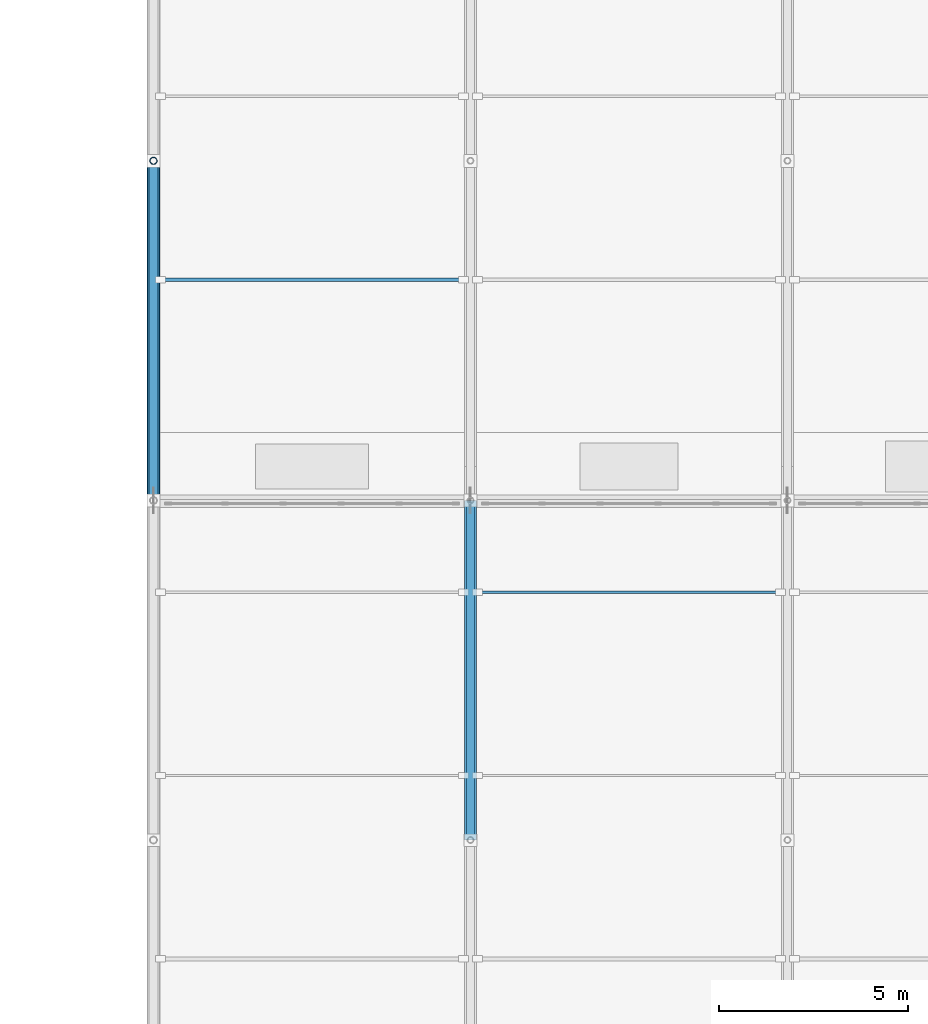
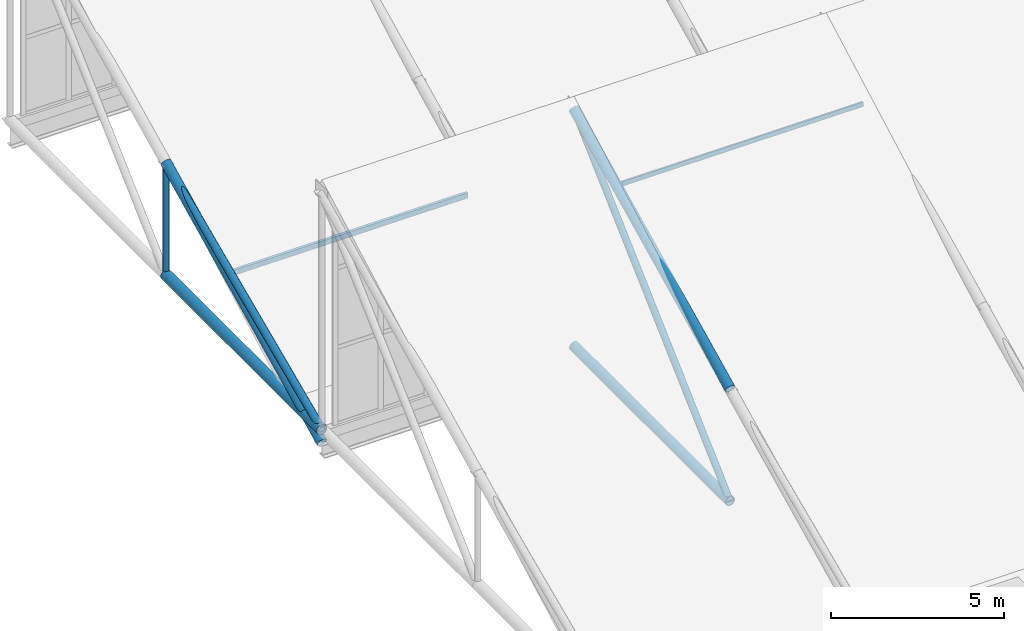
# One storey, part 6 of 38: 9 members.
"""IFC4 building model written with IfcOpenShell, lengths in metres."""

import ifcopenshell
import ifcopenshell.guid

model = None  # the IFC model being written
_history = None  # IfcOwnerHistory: only IFC2X3 demands one
_inside = {}  # id of a spatial element -> (the spatial element, [elements in it])
_under = {}  # id of a project, library or spatial element -> (it, [spatial elements below it])
_declared = {}  # id of a project -> (the project, [libraries it declares])
_typed = {}  # id of a type object -> (the type object, [elements of that type])
_made_of = {}  # id of a material, layer set ... -> (it, [elements and type objects made of it])


def new_model(schema):
    """Start an empty IFC model of exactly this schema.

    Asked for "IFC4X3", IfcOpenShell would pick the latest addendum, in which some entities
    have other attributes; the version numbers below select the first issue.
    IFC2X3 requires an IfcOwnerHistory on every rooted entity: one is made here for all.
    """
    global model, _history
    if schema == "IFC4X3":
        model = ifcopenshell.file(schema_version=(4, 3, 0, 0))
    else:
        model = ifcopenshell.file(schema=schema)
    _inside.clear()
    _under.clear()
    _declared.clear()
    _typed.clear()
    _made_of.clear()
    _history = None
    if model.schema == "IFC2X3":
        org = make("IfcOrganization", Name="unknown")
        user = make(
            "IfcPersonAndOrganization",
            ThePerson=make("IfcPerson", FamilyName="unknown"),
            TheOrganization=org,
        )
        app = make(
            "IfcApplication",
            ApplicationDeveloper=org,
            Version="unknown",
            ApplicationFullName="unknown",
            ApplicationIdentifier="unknown",
        )
        _history = make(
            "IfcOwnerHistory",
            OwningUser=user,
            OwningApplication=app,
            ChangeAction="ADDED",
            CreationDate=0,
        )
    return model


def make(cls, **values):
    """One entity of the class cls with the attributes given. An attribute that is None is left unset."""
    return model.create_entity(
        cls, **{name: value for name, value in values.items() if value is not None}
    )


def rooted(cls, **values):
    """An entity with a GlobalId (a new one), such as an element, a storey or a relation."""
    return make(cls, GlobalId=ifcopenshell.guid.new(), OwnerHistory=_history, **values)


def si_unit(unit_type, name, prefix=None):
    """IfcSIUnit, for example si_unit("LENGTHUNIT", "METRE", prefix="MILLI")."""
    return make("IfcSIUnit", UnitType=unit_type, Prefix=prefix, Name=name)


def assignment(units):
    """IfcUnitAssignment: the units of a project."""
    return None if units is None else make("IfcUnitAssignment", Units=units)


def point(xyz):
    """IfcCartesianPoint."""
    return None if xyz is None else make("IfcCartesianPoint", Coordinates=xyz)


def direction(xyz):
    """IfcDirection."""
    return None if xyz is None else make("IfcDirection", DirectionRatios=xyz)


def frame(location, z_axis=None, x_axis=None):
    """IfcAxis2Placement3D, a coordinate frame: its origin and axes. An axis left out is left unset."""
    return make(
        "IfcAxis2Placement3D",
        Location=point(location),
        Axis=direction(z_axis),
        RefDirection=direction(x_axis),
    )


def frame_2d(location, x_axis=None):
    """IfcAxis2Placement2D, a coordinate frame in the plane: its origin and x axis."""
    return make(
        "IfcAxis2Placement2D", Location=point(location), RefDirection=direction(x_axis)
    )


def origin():
    """The frame at (0, 0, 0) with its axes left unset."""
    return frame((0.0, 0.0, 0.0))


def origin_2d():
    """The frame at (0, 0) in the plane with its x axis left unset."""
    return frame_2d((0.0, 0.0))


def place(relative_to, where):
    """IfcLocalPlacement: puts the frame where relative to a parent placement (None: the world)."""
    return make(
        "IfcLocalPlacement", PlacementRelTo=relative_to, RelativePlacement=where
    )


def context(
    kind, dimensions, precision=None, world=None, true_north=None, identifier=None
):
    """IfcGeometricRepresentationContext, for example the 3D "Model" context."""
    return make(
        "IfcGeometricRepresentationContext",
        ContextIdentifier=identifier,
        ContextType=kind,
        CoordinateSpaceDimension=dimensions,
        Precision=precision,
        WorldCoordinateSystem=world,
        TrueNorth=true_north,
    )


def subcontext(parent, identifier, kind, view, scale=None):
    """IfcGeometricRepresentationSubContext, for example "Body" below "Model"."""
    return make(
        "IfcGeometricRepresentationSubContext",
        ContextIdentifier=identifier,
        ContextType=kind,
        ParentContext=parent,
        TargetScale=scale,
        TargetView=view,
    )


def project(units=None, contexts=None):
    """IfcProject with its units and contexts."""
    return rooted(
        "IfcProject",
        Name="project",
        RepresentationContexts=contexts,
        UnitsInContext=assignment(units),
    )


def spatial(cls, under=None, at=None, **own):
    """A site, building, storey or space (cls), placed at a placement, below another one or the project."""
    s = rooted(cls, ObjectPlacement=at, **own)
    if under is not None:
        _under.setdefault(under.id(), (under, []))[1].append(s)
    return s


def profile(cls, at=None, kind="AREA", **sizes):
    """A parametric profile (cls). Its sizes go by their IFC names, for example OverallWidth=200.0."""
    return make(cls, ProfileType=kind, Position=at, **sizes)


def hollow_rectangle(**sizes):
    """IfcRectangleHollowProfileDef."""
    return profile("IfcRectangleHollowProfileDef", **sizes)


def hollow_circle(**sizes):
    """IfcCircleHollowProfileDef."""
    return profile("IfcCircleHollowProfileDef", **sizes)


def extrude(swept, where, along, depth):
    """IfcExtrudedAreaSolid: the profile swept, set in the frame where, extruded along a direction by depth."""
    return make(
        "IfcExtrudedAreaSolid",
        SweptArea=swept,
        Position=where,
        ExtrudedDirection=direction(along),
        Depth=depth,
    )


def shape(context_of_items, identifier, shape_type, items):
    """IfcShapeRepresentation: the items that make up one representation, for example the "Body"."""
    return make(
        "IfcShapeRepresentation",
        ContextOfItems=context_of_items,
        RepresentationIdentifier=identifier,
        RepresentationType=shape_type,
        Items=items,
    )


def material(Name=None, Category=None):
    """IfcMaterial."""
    return make("IfcMaterial", Name=Name, Category=Category)


def material_profile(
    of_material, cross_section, Name=None, Category=None, Priority=None
):
    """IfcMaterialProfile: a cross section and its material."""
    return make(
        "IfcMaterialProfile",
        Name=Name,
        Material=of_material,
        Profile=cross_section,
        Priority=Priority,
        Category=Category,
    )


def profile_set(profiles, Name=None, composite=None):
    """IfcMaterialProfileSet."""
    return make(
        "IfcMaterialProfileSet",
        Name=Name,
        MaterialProfiles=profiles,
        CompositeProfile=composite,
    )


def made_of(thing, what):
    """Note that an element or type object is made of a material, layer set ...; save() writes the relation."""
    if what is not None:
        _made_of.setdefault(what.id(), (what, []))[1].append(thing)
    return thing


def type_object(cls, material=None, **own):
    """A type object (cls), such as IfcWallType, which elements share."""
    return made_of(rooted(cls, **own), material)


def element(
    cls,
    number,
    at=None,
    inside=None,
    cuts=None,
    type_object=None,
    material=None,
    context=None,
    identifier="Body",
    shape_type=None,
    held_by="IfcProductDefinitionShape",
    body=None,
    shapes=None,
    **own,
):
    """One element of the class cls, such as IfcWall. Its Tag is "e" and its number.

    at: its placement. inside: the storey or other place that contains it. cuts: it is an
    opening in that element (IfcRelVoidsElement). A single representation is given by context,
    identifier, shape_type and body (its items); several are given by shapes. held_by: the class
    of the entity that holds the representations. save() writes the other relations.
    """
    e = rooted(cls, Tag="e%d" % number, ObjectPlacement=at, **own)
    if body is not None:
        shapes = [shape(context, identifier, shape_type, body)]
    if shapes is not None:
        e.Representation = make(held_by, Representations=shapes)
    if inside is not None:
        _inside.setdefault(inside.id(), (inside, []))[1].append(e)
    if cuts is not None:
        rooted(
            "IfcRelVoidsElement", RelatingBuildingElement=cuts, RelatedOpeningElement=e
        )
    if type_object is not None:
        _typed.setdefault(type_object.id(), (type_object, []))[1].append(e)
    return made_of(e, material)


def aggregate(whole, parts):
    """IfcRelAggregates: a whole, such as a stair, and the parts it consists of."""
    return rooted("IfcRelAggregates", RelatingObject=whole, RelatedObjects=parts)


def save(model, path):
    """Write the relations noted so far, then the file.

    IfcRelAggregates (storeys below a building ...), IfcRelContainedInSpatialStructure (elements
    in a storey), IfcRelDefinesByType, IfcRelAssociatesMaterial and IfcRelDeclares: one each for
    every whole, place, type object, material and project.
    """
    for whole, parts in _under.values():
        aggregate(whole, parts)
    for where, things in _inside.values():
        rooted(
            "IfcRelContainedInSpatialStructure",
            RelatedElements=things,
            RelatingStructure=where,
        )
    for kind, things in _typed.values():
        rooted("IfcRelDefinesByType", RelatedObjects=things, RelatingType=kind)
    for what, things in _made_of.values():
        rooted("IfcRelAssociatesMaterial", RelatedObjects=things, RelatingMaterial=what)
    for by, libraries in _declared.values():
        rooted("IfcRelDeclares", RelatingContext=by, RelatedDefinitions=libraries)
    model.write(path)


model = new_model("IFC4")

# Units and contexts
model_context = context("Model", 3, precision=1e-05, world=origin(), true_north=direction((0.0, 1.0)))
body_context = subcontext(model_context, "Body", "Model", "MODEL_VIEW")
ifc_project = project(units=[si_unit("LENGTHUNIT", "METRE"), si_unit("AREAUNIT", "SQUARE_METRE"), si_unit("VOLUMEUNIT", "CUBIC_METRE"), si_unit("PLANEANGLEUNIT", "RADIAN"), si_unit("MASSUNIT", "GRAM", prefix="KILO")], contexts=[model_context])

# Site, building, storey
site_placement = place(None, origin())
site = spatial("IfcSite", under=ifc_project, at=site_placement, CompositionType="ELEMENT")
building_placement = place(site_placement, origin())
building = spatial("IfcBuilding", under=site, at=building_placement, Name="Veltarok Museum of Natural Sciences", CompositionType="ELEMENT")
storey_placement = place(building_placement, frame((0.0, 0.0, 31.199951171875)))
storey = spatial("IfcBuildingStorey", under=building, at=storey_placement, Name="RF", CompositionType="ELEMENT", Elevation=31.199951171875)

# Members
ifc_material_1 = material(Name="Steel S355J2", Category="steel")
ifc_material_profile_1 = material_profile(ifc_material_1, hollow_rectangle(XDim=0.10009765625, YDim=0.179931640625, WallThickness=0.008056640625, at=origin_2d()), Name="RHS 180x100x8")
ifc_profile_set_1 = profile_set([ifc_material_profile_1], Name="Steel S355J2")
member_type_1 = type_object("IfcMemberType", Name="Heavy Valley Roof Purlin RHS 180x100x8", PredefinedType="PURLIN", material=ifc_profile_set_1)
member_1_placement = place(storey_placement, frame((40.179931640625, 59.85009765625, -3.950439453125), z_axis=(1.0, 0.0, 0.0), x_axis=(0.0, 1.0, 0.0)))
element("IfcMember", 1, at=member_1_placement, inside=storey, type_object=member_type_1, Name="Sawtooth Purlin 5-6 M2", PredefinedType="PURLIN", context=body_context, shape_type="SweptSolid", body=[
    extrude(hollow_rectangle(XDim=0.10009765625, YDim=0.179931640625, WallThickness=0.008056640625, at=origin_2d()), origin(), (0.0, 0.0, 1.0), 8.0400390625),
])
ifc_material_2 = material(Name="Oxide-red painted Steel S355J2", Category="steel")
ifc_material_profile_2 = material_profile(ifc_material_2, hollow_circle(Radius=0.122314453125, WallThickness=0.012451171875, at=origin_2d()), Name="CHS 244.5x12.5")
ifc_profile_set_2 = profile_set([ifc_material_profile_2], Name="Oxide-red painted Steel S355J2")
member_type_2 = type_object("IfcMemberType", Name="Sawtooth End Diagonal CHS 244.5x12.5", PredefinedType="BRACE", material=ifc_profile_set_2)
member_2_placement = place(storey_placement, frame((40.0, 54.0, -5.800048828125), z_axis=(0.0, 0.915682381641, 0.401902694633), x_axis=(-1.0, 0.0, 0.0)))
element("IfcMember", 2, at=member_2_placement, inside=storey, type_object=member_type_2, Name="Roof Truss Diagonal 5 M2", PredefinedType="BRACE", context=body_context, shape_type="SweptSolid", body=[
    extrude(hollow_circle(Radius=0.122314453125, WallThickness=0.012451171875, at=origin_2d()), origin(), (0.0, 0.0, 1.0), 9.828857421875),
])
ifc_material_profile_3 = material_profile(ifc_material_2, hollow_circle(Radius=0.096923828125, WallThickness=0.010009765625, at=origin_2d()), Name="CHS 193.7x10")
ifc_profile_set_3 = profile_set([ifc_material_profile_3], Name="Oxide-red painted Steel S355J2")
member_type_3 = type_object("IfcMemberType", Name="Sawtooth End Strut CHS 193.7x10", PredefinedType="STRUT", material=ifc_profile_set_3)
member_3_placement = place(storey_placement, frame((40.0, 63.0, -5.800048828125), z_axis=(0.0, 0.0, 1.0), x_axis=(1.0, 0.0, 0.0)))
element("IfcMember", 3, at=member_3_placement, inside=storey, type_object=member_type_3, Name="Roof Truss Strut 5 M2", PredefinedType="STRUT", context=body_context, shape_type="SweptSolid", body=[
    extrude(hollow_circle(Radius=0.096923828125, WallThickness=0.010009765625, at=origin_2d()), origin(), (0.0, 0.0, 1.0), 3.9501953125),
])
ifc_material_profile_4 = material_profile(ifc_material_2, hollow_circle(Radius=0.177734375, WallThickness=0.01611328125, at=origin_2d()), Name="CHS 355.6x16")
ifc_profile_set_4 = profile_set([ifc_material_profile_4], Name="Oxide-red painted Steel S355J2")
member_type_4 = type_object("IfcMemberType", Name="Sawtooth Heavy Chord CHS 355.6x16", PredefinedType="CHORD", material=ifc_profile_set_4)
member_4_placement = place(storey_placement, frame((40.0, 54.0, -5.800048828125), z_axis=(0.0, 1.0, 0.0), x_axis=(-1.0, 0.0, 0.0)))
element("IfcMember", 4, at=member_4_placement, inside=storey, type_object=member_type_4, Name="Roof Truss Bottom Chord 5 M2", PredefinedType="CHORD", context=body_context, shape_type="SweptSolid", body=[
    extrude(hollow_circle(Radius=0.177734375, WallThickness=0.01611328125, at=origin_2d()), origin(), (0.0, 0.0, 1.0), 9.0),
])
ifc_material_profile_5 = material_profile(ifc_material_1, hollow_rectangle(XDim=0.06005859375, YDim=0.159912109375, WallThickness=0.0048828125, at=origin_2d()), Name="RHS 160x60x5")
ifc_profile_set_5 = profile_set([ifc_material_profile_5], Name="Steel S355J2")
member_type_5 = type_object("IfcMemberType", Name="Sawtooth Roof Purlin RHS 160x60x5", PredefinedType="PURLIN", material=ifc_profile_set_5)
member_5_placement = place(storey_placement, frame((48.580078125, 51.570068359375, 1.32958984375), z_axis=(1.0, 0.0, 0.0), x_axis=(0.0, 1.0, 0.0)))
element("IfcMember", 5, at=member_5_placement, inside=storey, type_object=member_type_5, Name="Sawtooth Purlin 6-7 M1", PredefinedType="PURLIN", context=body_context, shape_type="SweptSolid", body=[
    extrude(hollow_rectangle(XDim=0.06005859375, YDim=0.159912109375, WallThickness=0.0048828125, at=origin_2d()), origin(), (0.0, 0.0, 1.0), 8.0400390625),
])
ifc_material_profile_6 = material_profile(ifc_material_2, hollow_circle(Radius=0.161865234375, WallThickness=0.01611328125, at=origin_2d()), Name="CHS 323.9x16")
ifc_profile_set_6 = profile_set([ifc_material_profile_6], Name="Oxide-red painted Steel S355J2")
member_type_6 = type_object("IfcMemberType", Name="Sawtooth Truss Chord CHS 323.9x16", PredefinedType="CHORD", material=ifc_profile_set_6)
member_6_placement = place(storey_placement, frame((40.0, 54.0, -6.25), z_axis=(0.0, 0.898378591281, 0.43922193334), x_axis=(-1.0, 0.0, 0.0)))
element("IfcMember", 6, at=member_6_placement, inside=storey, type_object=member_type_6, Name="Roof Truss Top Chord 5 M2", PredefinedType="CHORD", context=body_context, shape_type="SweptSolid", body=[
    extrude(hollow_circle(Radius=0.161865234375, WallThickness=0.01611328125, at=origin_2d()), origin(), (0.0, 0.0, 1.0), 10.01806640625),
])
member_7_placement = place(storey_placement, frame((48.39990234375, 45.0, -5.800048828125), z_axis=(0.0, 1.0, 0.0), x_axis=(-1.0, 0.0, 0.0)))
element("IfcMember", 7, at=member_7_placement, inside=storey, type_object=member_type_6, Name="Roof Truss Bottom Chord 6 M1", PredefinedType="CHORD", context=body_context, shape_type="SweptSolid", body=[
    extrude(hollow_circle(Radius=0.161865234375, WallThickness=0.01611328125, at=origin_2d()), origin(), (0.0, 0.0, 1.0), 9.0),
])
member_8_placement = place(storey_placement, frame((48.39990234375, 45.0, -1.849853515625), z_axis=(0.0, 0.898388207299, 0.439202264322), x_axis=(-1.0, 0.0, 0.0)))
element("IfcMember", 8, at=member_8_placement, inside=storey, type_object=member_type_6, Name="Roof Truss Top Chord 6 M1", PredefinedType="CHORD", context=body_context, shape_type="SweptSolid", body=[
    extrude(hollow_circle(Radius=0.161865234375, WallThickness=0.01611328125, at=origin_2d()), origin(), (0.0, 0.0, 1.0), 10.017822265625),
])
ifc_material_profile_7 = material_profile(ifc_material_2, hollow_circle(Radius=0.109619140625, WallThickness=0.010009765625, at=origin_2d()), Name="CHS 219.1x10")
ifc_profile_set_7 = profile_set([ifc_material_profile_7], Name="Oxide-red painted Steel S355J2")
member_type_7 = type_object("IfcMemberType", Name="Sawtooth Truss Web Diagonal CHS 219.1x10", PredefinedType="BRACE", material=ifc_profile_set_7)
member_9_placement = place(storey_placement, frame((48.39990234375, 45.0, -5.800048828125), z_axis=(0.0, 0.733079568112, 0.680142887059), x_axis=(-1.0, 0.0, 0.0)))
element("IfcMember", 9, at=member_9_placement, inside=storey, type_object=member_type_7, Name="Roof Truss Diagonal 6 M1", PredefinedType="BRACE", context=body_context, shape_type="SweptSolid", body=[
    extrude(hollow_circle(Radius=0.109619140625, WallThickness=0.010009765625, at=origin_2d()), origin(), (0.0, 0.0, 1.0), 12.27685546875),
])

save(model, "model.ifc")
